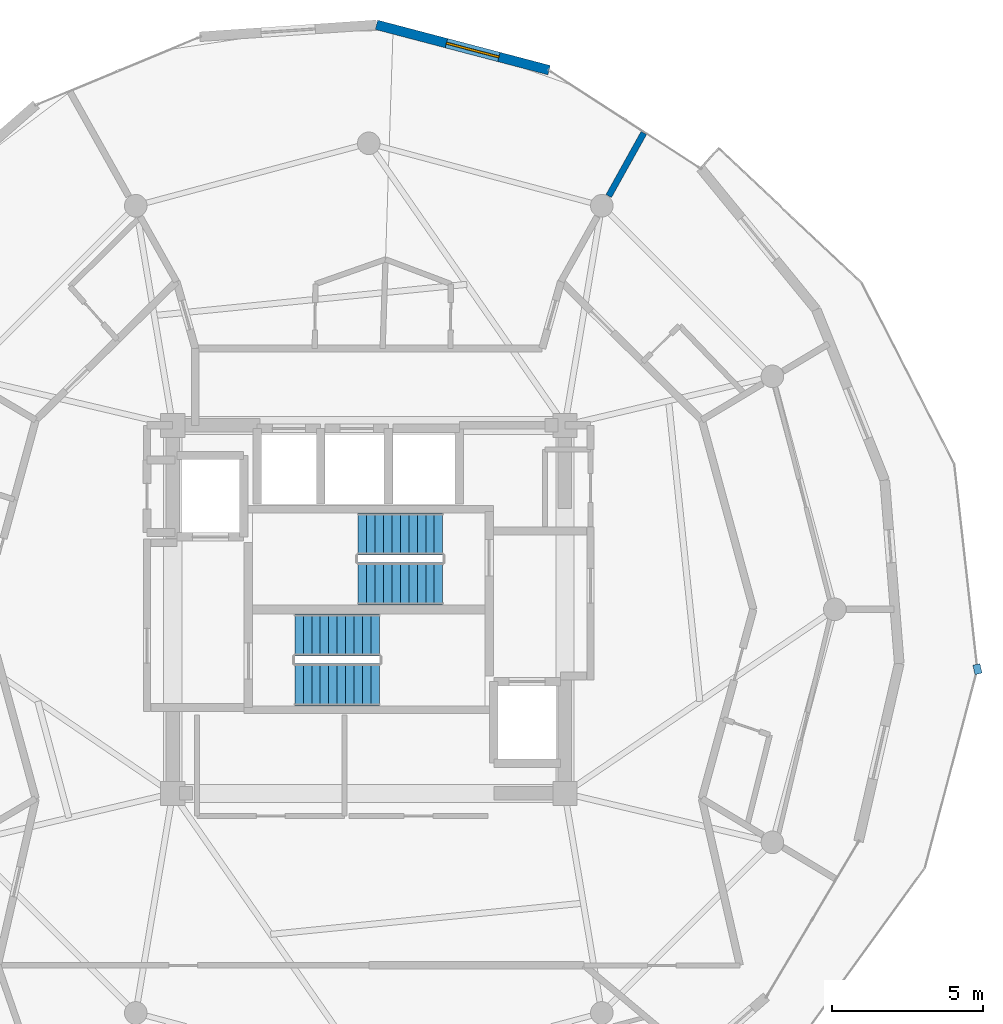
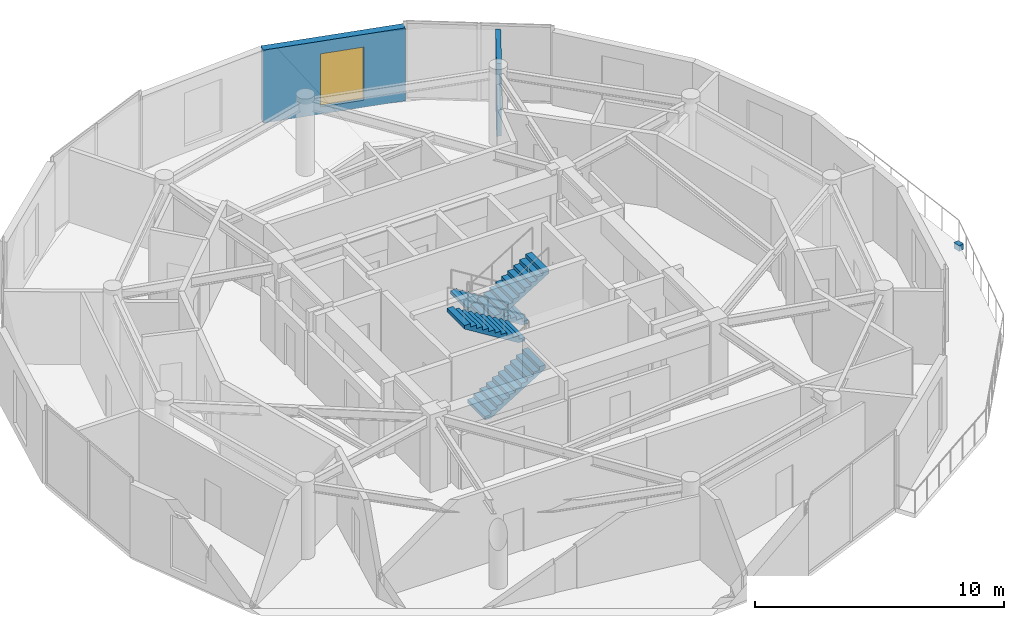
# One storey, part 20 of 22: 4 stair flights, 2 walls, 1 discrete accessory, 1 window, 1 opening, 2 elements without a shape of their own.
"""IFC4 building model written with IfcOpenShell, lengths in metres."""

import ifcopenshell
import ifcopenshell.guid

model = None  # the IFC model being written
_history = None  # IfcOwnerHistory: only IFC2X3 demands one
_inside = {}  # id of a spatial element -> (the spatial element, [elements in it])
_under = {}  # id of a project, library or spatial element -> (it, [spatial elements below it])
_declared = {}  # id of a project -> (the project, [libraries it declares])
_typed = {}  # id of a type object -> (the type object, [elements of that type])
_made_of = {}  # id of a material, layer set ... -> (it, [elements and type objects made of it])


def new_model(schema):
    """Start an empty IFC model of exactly this schema.

    Asked for "IFC4X3", IfcOpenShell would pick the latest addendum, in which some entities
    have other attributes; the version numbers below select the first issue.
    IFC2X3 requires an IfcOwnerHistory on every rooted entity: one is made here for all.
    """
    global model, _history
    if schema == "IFC4X3":
        model = ifcopenshell.file(schema_version=(4, 3, 0, 0))
    else:
        model = ifcopenshell.file(schema=schema)
    _inside.clear()
    _under.clear()
    _declared.clear()
    _typed.clear()
    _made_of.clear()
    _history = None
    if model.schema == "IFC2X3":
        org = make("IfcOrganization", Name="unknown")
        user = make(
            "IfcPersonAndOrganization",
            ThePerson=make("IfcPerson", FamilyName="unknown"),
            TheOrganization=org,
        )
        app = make(
            "IfcApplication",
            ApplicationDeveloper=org,
            Version="unknown",
            ApplicationFullName="unknown",
            ApplicationIdentifier="unknown",
        )
        _history = make(
            "IfcOwnerHistory",
            OwningUser=user,
            OwningApplication=app,
            ChangeAction="ADDED",
            CreationDate=0,
        )
    return model


def make(cls, **values):
    """One entity of the class cls with the attributes given. An attribute that is None is left unset."""
    return model.create_entity(
        cls, **{name: value for name, value in values.items() if value is not None}
    )


def rooted(cls, **values):
    """An entity with a GlobalId (a new one), such as an element, a storey or a relation."""
    return make(cls, GlobalId=ifcopenshell.guid.new(), OwnerHistory=_history, **values)


def si_unit(unit_type, name, prefix=None):
    """IfcSIUnit, for example si_unit("LENGTHUNIT", "METRE", prefix="MILLI")."""
    return make("IfcSIUnit", UnitType=unit_type, Prefix=prefix, Name=name)


def assignment(units):
    """IfcUnitAssignment: the units of a project."""
    return None if units is None else make("IfcUnitAssignment", Units=units)


def point(xyz):
    """IfcCartesianPoint."""
    return None if xyz is None else make("IfcCartesianPoint", Coordinates=xyz)


def direction(xyz):
    """IfcDirection."""
    return None if xyz is None else make("IfcDirection", DirectionRatios=xyz)


def frame(location, z_axis=None, x_axis=None):
    """IfcAxis2Placement3D, a coordinate frame: its origin and axes. An axis left out is left unset."""
    return make(
        "IfcAxis2Placement3D",
        Location=point(location),
        Axis=direction(z_axis),
        RefDirection=direction(x_axis),
    )


def frame_2d(location, x_axis=None):
    """IfcAxis2Placement2D, a coordinate frame in the plane: its origin and x axis."""
    return make(
        "IfcAxis2Placement2D", Location=point(location), RefDirection=direction(x_axis)
    )


def origin():
    """The frame at (0, 0, 0) with its axes left unset."""
    return frame((0.0, 0.0, 0.0))


def origin_2d():
    """The frame at (0, 0) in the plane with its x axis left unset."""
    return frame_2d((0.0, 0.0))


def place(relative_to, where):
    """IfcLocalPlacement: puts the frame where relative to a parent placement (None: the world)."""
    return make(
        "IfcLocalPlacement", PlacementRelTo=relative_to, RelativePlacement=where
    )


def context(
    kind, dimensions, precision=None, world=None, true_north=None, identifier=None
):
    """IfcGeometricRepresentationContext, for example the 3D "Model" context."""
    return make(
        "IfcGeometricRepresentationContext",
        ContextIdentifier=identifier,
        ContextType=kind,
        CoordinateSpaceDimension=dimensions,
        Precision=precision,
        WorldCoordinateSystem=world,
        TrueNorth=true_north,
    )


def subcontext(parent, identifier, kind, view, scale=None):
    """IfcGeometricRepresentationSubContext, for example "Body" below "Model"."""
    return make(
        "IfcGeometricRepresentationSubContext",
        ContextIdentifier=identifier,
        ContextType=kind,
        ParentContext=parent,
        TargetScale=scale,
        TargetView=view,
    )


def project(units=None, contexts=None):
    """IfcProject with its units and contexts."""
    return rooted(
        "IfcProject",
        Name="project",
        RepresentationContexts=contexts,
        UnitsInContext=assignment(units),
    )


def spatial(cls, under=None, at=None, **own):
    """A site, building, storey or space (cls), placed at a placement, below another one or the project."""
    s = rooted(cls, ObjectPlacement=at, **own)
    if under is not None:
        _under.setdefault(under.id(), (under, []))[1].append(s)
    return s


def polyline(points):
    """IfcPolyline through the points."""
    return make("IfcPolyline", Points=[point(p) for p in points])


def profile(cls, at=None, kind="AREA", **sizes):
    """A parametric profile (cls). Its sizes go by their IFC names, for example OverallWidth=200.0."""
    return make(cls, ProfileType=kind, Position=at, **sizes)


def rectangle(**sizes):
    """IfcRectangleProfileDef."""
    return profile("IfcRectangleProfileDef", **sizes)


def outline(outer, holes=None, kind="AREA"):
    """IfcArbitraryClosedProfileDef: a profile drawn as a closed curve; with holes, ...WithVoids."""
    if holes is None:
        return make("IfcArbitraryClosedProfileDef", ProfileType=kind, OuterCurve=outer)
    return make(
        "IfcArbitraryProfileDefWithVoids",
        ProfileType=kind,
        OuterCurve=outer,
        InnerCurves=holes,
    )


def extrude(swept, where, along, depth):
    """IfcExtrudedAreaSolid: the profile swept, set in the frame where, extruded along a direction by depth."""
    return make(
        "IfcExtrudedAreaSolid",
        SweptArea=swept,
        Position=where,
        ExtrudedDirection=direction(along),
        Depth=depth,
    )


def shape(context_of_items, identifier, shape_type, items):
    """IfcShapeRepresentation: the items that make up one representation, for example the "Body"."""
    return make(
        "IfcShapeRepresentation",
        ContextOfItems=context_of_items,
        RepresentationIdentifier=identifier,
        RepresentationType=shape_type,
        Items=items,
    )


def material(Name=None, Category=None):
    """IfcMaterial."""
    return make("IfcMaterial", Name=Name, Category=Category)


def layer(
    of_material, thickness, ventilated=None, Name=None, Category=None, Priority=None
):
    """IfcMaterialLayer: one layer of a wall or slab, of a material (None: an air gap)."""
    return make(
        "IfcMaterialLayer",
        Material=of_material,
        LayerThickness=thickness,
        IsVentilated=ventilated,
        Name=Name,
        Category=Category,
        Priority=Priority,
    )


def layer_set(layers, Name=None):
    """IfcMaterialLayerSet."""
    return make("IfcMaterialLayerSet", MaterialLayers=layers, LayerSetName=Name)


def made_of(thing, what):
    """Note that an element or type object is made of a material, layer set ...; save() writes the relation."""
    if what is not None:
        _made_of.setdefault(what.id(), (what, []))[1].append(thing)
    return thing


def type_object(cls, material=None, **own):
    """A type object (cls), such as IfcWallType, which elements share."""
    return made_of(rooted(cls, **own), material)


def element(
    cls,
    number,
    at=None,
    inside=None,
    cuts=None,
    type_object=None,
    material=None,
    context=None,
    identifier="Body",
    shape_type=None,
    held_by="IfcProductDefinitionShape",
    body=None,
    shapes=None,
    **own,
):
    """One element of the class cls, such as IfcWall. Its Tag is "e" and its number.

    at: its placement. inside: the storey or other place that contains it. cuts: it is an
    opening in that element (IfcRelVoidsElement). A single representation is given by context,
    identifier, shape_type and body (its items); several are given by shapes. held_by: the class
    of the entity that holds the representations. save() writes the other relations.
    """
    e = rooted(cls, Tag="e%d" % number, ObjectPlacement=at, **own)
    if body is not None:
        shapes = [shape(context, identifier, shape_type, body)]
    if shapes is not None:
        e.Representation = make(held_by, Representations=shapes)
    if inside is not None:
        _inside.setdefault(inside.id(), (inside, []))[1].append(e)
    if cuts is not None:
        rooted(
            "IfcRelVoidsElement", RelatingBuildingElement=cuts, RelatedOpeningElement=e
        )
    if type_object is not None:
        _typed.setdefault(type_object.id(), (type_object, []))[1].append(e)
    return made_of(e, material)


def fill(opening, filler):
    """IfcRelFillsElement: the door or window that sits in an opening."""
    return rooted(
        "IfcRelFillsElement",
        RelatingOpeningElement=opening,
        RelatedBuildingElement=filler,
    )


def aggregate(whole, parts):
    """IfcRelAggregates: a whole, such as a stair, and the parts it consists of."""
    return rooted("IfcRelAggregates", RelatingObject=whole, RelatedObjects=parts)


def save(model, path):
    """Write the relations noted so far, then the file.

    IfcRelAggregates (storeys below a building ...), IfcRelContainedInSpatialStructure (elements
    in a storey), IfcRelDefinesByType, IfcRelAssociatesMaterial and IfcRelDeclares: one each for
    every whole, place, type object, material and project.
    """
    for whole, parts in _under.values():
        aggregate(whole, parts)
    for where, things in _inside.values():
        rooted(
            "IfcRelContainedInSpatialStructure",
            RelatedElements=things,
            RelatingStructure=where,
        )
    for kind, things in _typed.values():
        rooted("IfcRelDefinesByType", RelatedObjects=things, RelatingType=kind)
    for what, things in _made_of.values():
        rooted("IfcRelAssociatesMaterial", RelatedObjects=things, RelatingMaterial=what)
    for by, libraries in _declared.values():
        rooted("IfcRelDeclares", RelatingContext=by, RelatedDefinitions=libraries)
    model.write(path)


model = new_model("IFC4")

# Units and contexts
model_context = context("Model", 3, precision=1e-05, world=origin(), true_north=direction((0.0, 1.0)))
body_context = subcontext(model_context, "Body", "Model", "MODEL_VIEW")
ifc_project = project(units=[si_unit("LENGTHUNIT", "METRE"), si_unit("AREAUNIT", "SQUARE_METRE"), si_unit("VOLUMEUNIT", "CUBIC_METRE"), si_unit("PLANEANGLEUNIT", "RADIAN"), si_unit("MASSUNIT", "GRAM", prefix="KILO")], contexts=[model_context])

# Site, building, storey
site_placement = place(None, origin())
site = spatial("IfcSite", under=ifc_project, at=site_placement, CompositionType="ELEMENT")
building_placement = place(site_placement, origin())
building = spatial("IfcBuilding", under=site, at=building_placement, Name="Solvirekh Grand Hotel", CompositionType="ELEMENT")
storey_placement = place(building_placement, frame((0.0, 0.0, 243.0)))
storey = spatial("IfcBuildingStorey", under=building, at=storey_placement, Name="L63", CompositionType="ELEMENT", Elevation=243.0)

# Wall, opening, window
ifc_material_1 = material(Name="Precast concrete C45/55", Category="concrete")
ifc_layer_1 = layer(ifc_material_1, 0.320068359375)
ifc_layer_set_1 = layer_set([ifc_layer_1], Name="Precast concrete C45/55")
wall_type_1 = type_object("IfcWallType", Name="ExtLobbyWall_RC320", PredefinedType="SOLIDWALL", material=ifc_layer_set_1)
wall_1_placement = place(storey_placement, frame((0.256103515625, 19.37890625, 0.0), z_axis=(0.0, 0.0, 1.0), x_axis=(0.967181914063, -0.254084917124, 0.0)))
wall_1 = element("IfcWall", 1, at=wall_1_placement, inside=storey, type_object=wall_type_1, Name="L63 exterior structural wall chord 9", PredefinedType="SOLIDWALL", context=body_context, shape_type="SweptSolid", body=[
    extrude(rectangle(XDim=5.9150390625, YDim=0.320068359375, at=frame_2d((2.95751953125, 0.0))), origin(), (0.0, 0.0, 1.0), 3.570068359375),
])
opening_placement = place(wall_1_placement, frame((2.39599609375, 0.0, 0.35009765625)))
opening = element("IfcOpeningElement", 2, at=opening_placement, cuts=wall_1, Name="Opening W02", PredefinedType="OPENING", context=body_context, shape_type="SweptSolid", body=[
    extrude(rectangle(XDim=1.800048828125, YDim=2.60009765625, at=frame_2d((0.89990234375, 1.300048828125))), frame((0.0, 0.169921875, 0.0), z_axis=(0.0, -1.0, 0.0), x_axis=(1.0, 0.0, 0.0)), (0.0, 0.0, 1.0), 0.340087890625),
])
ifc_material_2 = material(Name="Low-E Tinted Bronze Laminated Glass", Category="aluminium")
window_type = type_object("IfcWindowType", Name="Win_LobbyExt_1800X2600", PartitioningType="SINGLE_PANEL", PredefinedType="WINDOW", material=ifc_material_2)
window_placement = place(opening_placement, origin())
window = element("IfcWindow", 3, at=window_placement, inside=storey, type_object=window_type, Name="L63 panoramic bronze-framed window 9", OverallHeight=2.60009765625, OverallWidth=1.800048828125, PartitioningType="SINGLE_PANEL", PredefinedType="WINDOW", context=body_context, shape_type="SweptSolid", body=[
    extrude(rectangle(XDim=1.800048828125, YDim=2.60009765625, at=frame_2d((0.89990234375, 1.300048828125))), frame((0.0, 0.030029296875, 0.0), z_axis=(0.0, -1.0, 0.0), x_axis=(1.0, 0.0, 0.0)), (0.0, 0.0, 1.0), 0.06005859375),
])
fill(opening, window)

# Wall
ifc_material_3 = material(Name="Acoustic Gypsum Partition Assembly")
ifc_layer_2 = layer(ifc_material_3, 0.2099609375)
ifc_layer_set_2 = layer_set([ifc_layer_2], Name="Acoustic Gypsum Partition Assembly")
wall_type_2 = type_object("IfcWallType", Name="Part_SuiteDemise_210", PredefinedType="PARTITIONING", material=ifc_layer_set_2)
wall_2_placement = place(storey_placement, frame((7.9541015625, 13.701904296875, 0.0), z_axis=(0.0, 0.0, 1.0), x_axis=(0.486456485885, 0.873704805607, 0.0)))
element("IfcWall", 4, at=wall_2_placement, inside=storey, type_object=wall_type_2, Name="L63 suite radial wall 3 (B)", PredefinedType="PARTITIONING", context=body_context, shape_type="SweptSolid", body=[
    extrude(rectangle(XDim=2.39453125, YDim=0.2099609375, at=frame_2d((1.197265625, 0.0))), origin(), (0.0, 0.0, 1.0), 3.570068359375),
])

# Stair, stair flights
ifc_material_4 = material(Name="Concrete C40/50", Category="concrete")
stair_type = type_object("IfcStairType", Name="Stair_Core_1450", PredefinedType="HALF_TURN_STAIR", material=ifc_material_4)
stair_1_placement = place(storey_placement, origin())
stair_1 = element("IfcStair", 5, at=stair_1_placement, inside=storey, type_object=stair_type, Name="L63 Enclosed exit stair ST-1", PredefinedType="HALF_TURN_STAIR")
stair_flight_type = type_object("IfcStairFlightType", Name="Flight_Core_1450", PredefinedType="STRAIGHT", material=ifc_material_4)
stair_flight_1_placement = place(storey_placement, frame((-2.449951171875, -2.5, 0.0), z_axis=(0.0, 0.0, 1.0), x_axis=(1.0, 0.0, 0.0)))
stair_flight_1 = element("IfcStairFlight", 6, at=stair_flight_1_placement, type_object=stair_flight_type, Name="ST-1 flight 1", NumberOfRisers=11, NumberOfTreads=10, PredefinedType="STRAIGHT", RiserHeight=0.172727273, TreadLength=0.28, context=body_context, shape_type="SweptSolid", body=[
    extrude(outline(polyline([(0.0, 0.0), (0.0, 0.172607421875), (0.280029296875, 0.172607421875), (0.280029296875, 0.345458984375), (0.56005859375, 0.345458984375), (0.56005859375, 0.51806640625), (0.840087890625, 0.51806640625), (0.840087890625, 0.69091796875), (1.1201171875, 0.69091796875), (1.1201171875, 0.863525390625), (1.39990234375, 0.863525390625), (1.39990234375, 1.036376953125), (1.679931640625, 1.036376953125), (1.679931640625, 1.208984375), (1.9599609375, 1.208984375), (1.9599609375, 1.3818359375), (2.239990234375, 1.3818359375), (2.239990234375, 1.554443359375), (2.52001953125, 1.554443359375), (2.52001953125, 1.727294921875), (2.800048828125, 1.727294921875), (2.800048828125, 1.89990234375), (2.800048828125, 1.551025390625), (0.285400390625, 0.0), (0.0, 0.0)])), frame((0.0, 0.699951171875, 0.0), z_axis=(0.0, -1.0, 0.0), x_axis=(1.0, 0.0, 0.0)), (0.0, 0.0, 1.0), 1.39990234375),
])
stair_flight_2_placement = place(storey_placement, frame((0.35009765625, -0.85009765625, 1.89990234375), z_axis=(0.0, 0.0, 1.0), x_axis=(-1.0, 0.0, 0.0)))
stair_flight_2 = element("IfcStairFlight", 7, at=stair_flight_2_placement, type_object=stair_flight_type, Name="ST-1 flight 2", NumberOfRisers=11, NumberOfTreads=10, PredefinedType="STRAIGHT", RiserHeight=0.172727273, TreadLength=0.28, context=body_context, shape_type="SweptSolid", body=[
    extrude(outline(polyline([(0.0, 0.0), (0.0, 0.172607421875), (0.280029296875, 0.172607421875), (0.280029296875, 0.345458984375), (0.56005859375, 0.345458984375), (0.56005859375, 0.51806640625), (0.840087890625, 0.51806640625), (0.840087890625, 0.69091796875), (1.1201171875, 0.69091796875), (1.1201171875, 0.863525390625), (1.39990234375, 0.863525390625), (1.39990234375, 1.036376953125), (1.679931640625, 1.036376953125), (1.679931640625, 1.208984375), (1.9599609375, 1.208984375), (1.9599609375, 1.3818359375), (2.239990234375, 1.3818359375), (2.239990234375, 1.554443359375), (2.52001953125, 1.554443359375), (2.52001953125, 1.727294921875), (2.800048828125, 1.727294921875), (2.800048828125, 1.89990234375), (2.800048828125, 1.551025390625), (0.285400390625, 0.0), (0.0, 0.0)])), frame((0.0, 0.699951171875, 0.0), z_axis=(0.0, -1.0, 0.0), x_axis=(1.0, 0.0, 0.0)), (0.0, 0.0, 1.0), 1.39990234375),
])
aggregate(stair_1, [stair_flight_1, stair_flight_2])

stair_2_placement = place(storey_placement, origin())
stair_2 = element("IfcStair", 8, at=stair_2_placement, inside=storey, type_object=stair_type, Name="L63 Enclosed exit stair ST-2", PredefinedType="HALF_TURN_STAIR")
stair_flight_3_placement = place(storey_placement, frame((2.449951171875, 2.5, 0.0), z_axis=(0.0, 0.0, 1.0), x_axis=(-1.0, 0.0, 0.0)))
stair_flight_3 = element("IfcStairFlight", 9, at=stair_flight_3_placement, type_object=stair_flight_type, Name="ST-2 flight 1", NumberOfRisers=11, NumberOfTreads=10, PredefinedType="STRAIGHT", RiserHeight=0.172727273, TreadLength=0.28, context=body_context, shape_type="SweptSolid", body=[
    extrude(outline(polyline([(0.0, 0.0), (0.0, 0.172607421875), (0.280029296875, 0.172607421875), (0.280029296875, 0.345458984375), (0.56005859375, 0.345458984375), (0.56005859375, 0.51806640625), (0.840087890625, 0.51806640625), (0.840087890625, 0.69091796875), (1.1201171875, 0.69091796875), (1.1201171875, 0.863525390625), (1.39990234375, 0.863525390625), (1.39990234375, 1.036376953125), (1.679931640625, 1.036376953125), (1.679931640625, 1.208984375), (1.9599609375, 1.208984375), (1.9599609375, 1.3818359375), (2.239990234375, 1.3818359375), (2.239990234375, 1.554443359375), (2.52001953125, 1.554443359375), (2.52001953125, 1.727294921875), (2.800048828125, 1.727294921875), (2.800048828125, 1.89990234375), (2.800048828125, 1.551025390625), (0.285400390625, 0.0), (0.0, 0.0)])), frame((0.0, 0.699951171875, 0.0), z_axis=(0.0, -1.0, 0.0), x_axis=(1.0, 0.0, 0.0)), (0.0, 0.0, 1.0), 1.39990234375),
])
stair_flight_4_placement = place(storey_placement, frame((-0.35009765625, 0.85009765625, 1.89990234375), z_axis=(0.0, 0.0, 1.0), x_axis=(1.0, 0.0, 0.0)))
stair_flight_4 = element("IfcStairFlight", 10, at=stair_flight_4_placement, type_object=stair_flight_type, Name="ST-2 flight 2", NumberOfRisers=11, NumberOfTreads=10, PredefinedType="STRAIGHT", RiserHeight=0.172727273, TreadLength=0.28, context=body_context, shape_type="SweptSolid", body=[
    extrude(outline(polyline([(0.0, 0.0), (0.0, 0.172607421875), (0.280029296875, 0.172607421875), (0.280029296875, 0.345458984375), (0.56005859375, 0.345458984375), (0.56005859375, 0.51806640625), (0.840087890625, 0.51806640625), (0.840087890625, 0.69091796875), (1.1201171875, 0.69091796875), (1.1201171875, 0.863525390625), (1.39990234375, 0.863525390625), (1.39990234375, 1.036376953125), (1.679931640625, 1.036376953125), (1.679931640625, 1.208984375), (1.9599609375, 1.208984375), (1.9599609375, 1.3818359375), (2.239990234375, 1.3818359375), (2.239990234375, 1.554443359375), (2.52001953125, 1.554443359375), (2.52001953125, 1.727294921875), (2.800048828125, 1.727294921875), (2.800048828125, 1.89990234375), (2.800048828125, 1.551025390625), (0.285400390625, 0.0), (0.0, 0.0)])), frame((0.0, 0.699951171875, 0.0), z_axis=(0.0, -1.0, 0.0), x_axis=(1.0, 0.0, 0.0)), (0.0, 0.0, 1.0), 1.39990234375),
])
aggregate(stair_2, [stair_flight_3, stair_flight_4])

# Discrete accessory
ifc_material_5 = material(Name="Steel S355", Category="steel")
discrete_accessory_type = type_object("IfcDiscreteAccessoryType", Name="Acc_ThermalBracket", PredefinedType="BRACKET", material=ifc_material_5)
discrete_accessory_placement = place(storey_placement, frame((20.179931640625, -1.98291015625, -0.27978515625), z_axis=(0.0, 0.0, 1.0), x_axis=(0.228350870111, -0.973578902873, 0.0)))
element("IfcDiscreteAccessory", 11, at=discrete_accessory_placement, inside=storey, type_object=discrete_accessory_type, Name="L63 balcony thermal-break bracket", PredefinedType="BRACKET", context=body_context, shape_type="SweptSolid", body=[
    extrude(rectangle(XDim=0.320068359375, YDim=0.239990234375, at=origin_2d()), origin(), (0.0, 0.0, 1.0), 0.280029296875),
])

save(model, "model.ifc")
